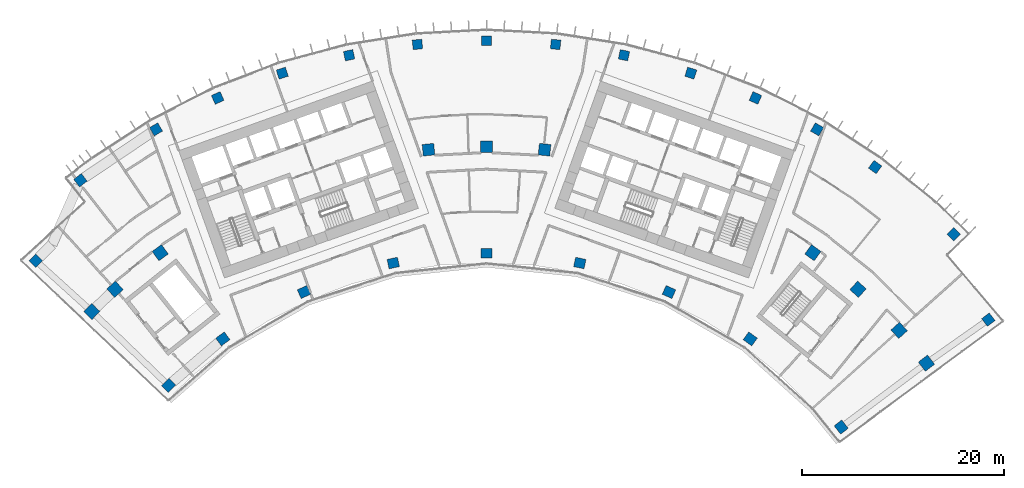
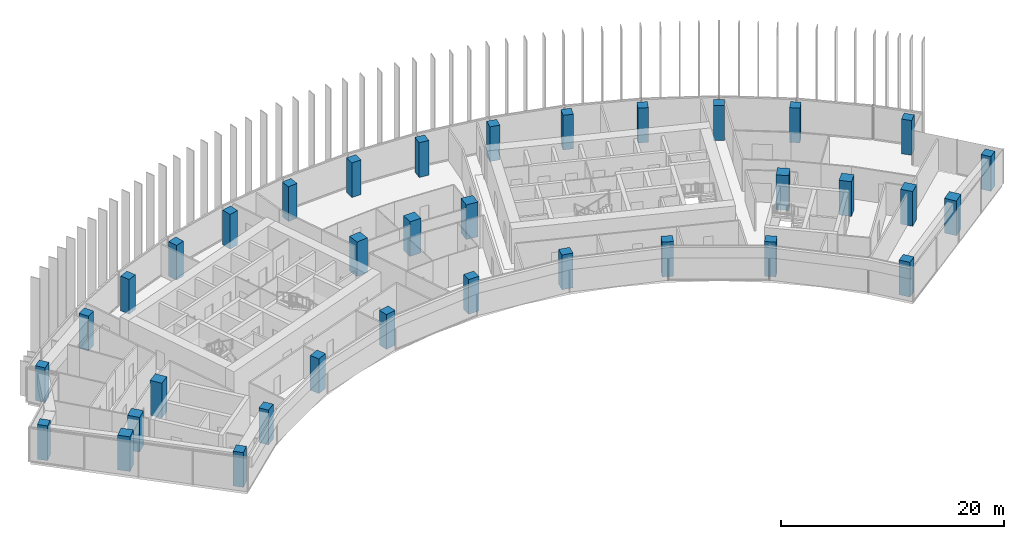
# One storey, part 1 of 20: 35 columns.
"""IFC4 building model written with IfcOpenShell, lengths in metres."""

from ifc_helpers import new_model, si_unit, direction, frame, origin, origin_2d, place, context, subcontext, project, spatial, rectangle, extrude, material, material_profile, profile_set, type_object, element, save


model = new_model("IFC4")

# Units and contexts
model_context = context("Model", 3, precision=1e-05, world=origin(), true_north=direction((0.0, 1.0)))
body_context = subcontext(model_context, "Body", "Model", "MODEL_VIEW")
ifc_project = project(units=[si_unit("LENGTHUNIT", "METRE"), si_unit("AREAUNIT", "SQUARE_METRE"), si_unit("VOLUMEUNIT", "CUBIC_METRE"), si_unit("PLANEANGLEUNIT", "RADIAN"), si_unit("MASSUNIT", "GRAM", prefix="KILO")], contexts=[model_context])

# Site, building, storey
site_placement = place(None, origin())
site = spatial("IfcSite", under=ifc_project, at=site_placement, CompositionType="ELEMENT")
building_placement = place(site_placement, origin())
building = spatial("IfcBuilding", under=site, at=building_placement, Name="Stone Belt Terrace Tower", CompositionType="ELEMENT")
storey_placement = place(building_placement, frame((0.0, 0.0, 212.39990234375)))
storey = spatial("IfcBuildingStorey", under=building, at=storey_placement, Name="L51", CompositionType="ELEMENT", Elevation=212.39990234375)

# Columns
ifc_material = material(Name="Concrete B60", Category="concrete")
ifc_material_profile_1 = material_profile(ifc_material, rectangle(XDim=1.050048828125, YDim=0.949951171875, at=origin_2d()), Name="RC 1050x950")
ifc_profile_set_1 = profile_set([ifc_material_profile_1], Name="Concrete B60")
column_type_1 = type_object("IfcColumnType", Name="Column RC 1050x950 B60", PredefinedType="COLUMN", material=ifc_profile_set_1)
for number, where, z_axis, x_axis, name in (
    (1, (-31.5078125, 31.3466796875, 0.0), (0.0, 0.0, 1.0), (0.705293990601, 0.708914936239, 0.0), "Column L51 PA"),
    (2, (-26.1240234375, 35.956787109375, 0.0), (0.0, 0.0, 1.0), (0.809016994375, 0.587785252292, 0.0), "Column L51 P16"),
    (3, (-18.077392578125, 40.6025390625, 0.0), (0.0, 0.0, 1.0), (0.913545457643, 0.406736643076, 0.0), "Column L51 P18"),
    (4, (-9.240478515625, 43.473876953125, 0.0), (0.0, 0.0, 1.0), (0.978147600734, 0.207911690818, 0.0), "Column L51 P20"),
    (5, (0.0, 44.445068359375, 0.0), (0.0, 0.0, 1.0), (1.0, 0.0, 0.0), "Column L51 P22"),
    (6, (9.240478515625, 43.473876953125, 0.0), (0.0, 0.0, 1.0), (0.978147600734, -0.207911690818, 0.0), "Column L51 P24"),
    (7, (18.077392578125, 40.6025390625, 0.0), (0.0, 0.0, 1.0), (0.913545457643, -0.406736643076, 0.0), "Column L51 P26"),
    (8, (26.1240234375, 35.956787109375, 0.0), (0.0, 0.0, 1.0), (0.809016994375, -0.587785252292, 0.0), "Column L51 P28"),
    (9, (35.133056640625, 27.221923828125, 0.0), (0.0, 0.0, 1.0), (0.612484967582, -0.790482235402, 0.0), "Column L51 PB"),
):
    element("IfcColumn", number, at=place(storey_placement, frame(where, z_axis=z_axis, x_axis=x_axis)), inside=storey, type_object=column_type_1, Name=name, PredefinedType="COLUMN", context=body_context, shape_type="SweptSolid", body=[
        extrude(rectangle(XDim=1.050048828125, YDim=0.949951171875, at=origin_2d()), origin(), (0.0, 0.0, 1.0), 3.800048828125),
    ])
ifc_material_profile_2 = material_profile(ifc_material, rectangle(XDim=1.14990234375, YDim=1.14990234375, at=origin_2d()), Name="RC 1150x1150")
ifc_profile_set_2 = profile_set([ifc_material_profile_2], Name="Concrete B60")
column_type_2 = type_object("IfcColumnType", Name="Column RC 1150x1150 B60", PredefinedType="COLUMN", material=ifc_profile_set_2)
for number, where, z_axis, x_axis, name in (
    (10, (-39.108154296875, 38.67236328125, 0.0), (0.0, 0.0, 1.0), (0.703134133957, 0.711057233748, 0.0), "Column L51 QA"),
    (11, (-36.80224609375, 40.873046875, 0.0), (0.0, 0.0, 1.0), (0.743144825477, 0.669130606359, 0.0), "Column L51 Q15"),
    (12, (-32.328125, 44.495849609375, 0.0), (0.0, 0.0, 1.0), (0.809016994375, 0.587785252292, 0.0), "Column L51 Q16"),
    (13, (-5.7490234375, 54.69873046875, 0.0), (0.0, 0.0, 1.0), (0.994521895368, 0.104528463268, 0.0), "Column L51 Q21"),
    (14, (0.0, 55.0, 0.0), (0.0, 0.0, 1.0), (1.0, 0.0, 0.0), "Column L51 Q22"),
    (15, (5.7490234375, 54.69873046875, 0.0), (0.0, 0.0, 1.0), (0.994521895368, -0.104528463268, 0.0), "Column L51 Q23"),
    (16, (32.328125, 44.495849609375, 0.0), (0.0, 0.0, 1.0), (0.809016994375, -0.587785252292, 0.0), "Column L51 Q28"),
    (17, (36.80224609375, 40.873046875, 0.0), (0.0, 0.0, 1.0), (0.743144825477, -0.669130606359, 0.0), "Column L51 Q29"),
    (18, (40.873046875, 36.80224609375, 0.0), (0.0, 0.0, 1.0), (0.669130606359, -0.743144825477, 0.0), "Column L51 Q30"),
    (19, (43.57861328125, 33.55419921875, 0.0), (0.0, 0.0, 1.0), (0.610078787058, -0.792340755977, 0.0), "Column L51 QB"),
):
    element("IfcColumn", number, at=place(storey_placement, frame(where, z_axis=z_axis, x_axis=x_axis)), inside=storey, type_object=column_type_2, Name=name, PredefinedType="COLUMN", context=body_context, shape_type="SweptSolid", body=[
        extrude(rectangle(XDim=1.14990234375, YDim=1.14990234375, at=origin_2d()), origin(), (0.0, 0.0, 1.0), 3.800048828125),
    ])
ifc_material_profile_3 = material_profile(ifc_material, rectangle(XDim=0.949951171875, YDim=0.949951171875, at=origin_2d()), Name="RC 950x950")
ifc_profile_set_3 = profile_set([ifc_material_profile_3], Name="Concrete B60")
column_type_3 = type_object("IfcColumnType", Name="Column RC 950x950 B60", PredefinedType="COLUMN", material=ifc_profile_set_3)
for number, where, z_axis, x_axis, name in (
    (20, (-44.660400390625, 43.70703125, 0.0), (0.0, 0.0, 1.0), (0.699437600403, 0.714693670842, 0.0), "Column L51 RA"),
    (21, (49.70947265625, 37.86572265625, 0.0), (0.0, 0.0, 1.0), (0.605960632634, -0.795494633356, 0.0), "Column L51 RB"),
    (22, (-40.231201171875, 51.674560546875, 0.0), (0.0, 0.0, 1.0), (0.789057280835, 0.614319629803, 0.0), "Column L51 RNA"),
    (23, (-32.744384765625, 56.715087890625, 0.0), (0.0, 0.0, 1.0), (0.866025403784, 0.5, 0.0), "Column L51 R17"),
    (24, (-26.63671875, 59.8271484375, 0.0), (0.0, 0.0, 1.0), (0.913545457643, 0.406736643076, 0.0), "Column L51 R18"),
    (25, (-20.2373046875, 62.28369140625, 0.0), (0.0, 0.0, 1.0), (0.951056516295, 0.309016994375, 0.0), "Column L51 R19"),
    (26, (-13.615966796875, 64.057861328125, 0.0), (0.0, 0.0, 1.0), (0.978147600734, 0.207911690818, 0.0), "Column L51 R20"),
    (27, (-6.845458984375, 65.130126953125, 0.0), (0.0, 0.0, 1.0), (0.994521895368, 0.104528463268, 0.0), "Column L51 R21"),
    (28, (0.0, 65.489013671875, 0.0), (0.0, 0.0, 1.0), (1.0, 0.0, 0.0), "Column L51 R22"),
    (29, (6.845458984375, 65.130126953125, 0.0), (0.0, 0.0, 1.0), (0.994521895368, -0.104528463268, 0.0), "Column L51 R23"),
    (30, (13.615966796875, 64.057861328125, 0.0), (0.0, 0.0, 1.0), (0.978147600734, -0.207911690818, 0.0), "Column L51 R24"),
    (31, (20.2373046875, 62.28369140625, 0.0), (0.0, 0.0, 1.0), (0.951056516295, -0.309016994375, 0.0), "Column L51 R25"),
    (32, (26.63671875, 59.8271484375, 0.0), (0.0, 0.0, 1.0), (0.913545457643, -0.406736643076, 0.0), "Column L51 R26"),
    (33, (32.744384765625, 56.715087890625, 0.0), (0.0, 0.0, 1.0), (0.866025403784, -0.5, 0.0), "Column L51 R27"),
    (34, (38.493408203125, 52.981689453125, 0.0), (0.0, 0.0, 1.0), (0.809016994375, -0.587785252292, 0.0), "Column L51 R28"),
    (35, (46.29638671875, 46.318603515625, 0.0), (0.0, 0.0, 1.0), (0.707275837349, -0.706937684596, 0.0), "Column L51 RNB"),
):
    element("IfcColumn", number, at=place(storey_placement, frame(where, z_axis=z_axis, x_axis=x_axis)), inside=storey, type_object=column_type_3, Name=name, PredefinedType="COLUMN", context=body_context, shape_type="SweptSolid", body=[
        extrude(rectangle(XDim=0.949951171875, YDim=0.949951171875, at=origin_2d()), origin(), (0.0, 0.0, 1.0), 3.800048828125),
    ])

save(model, "model.ifc")
